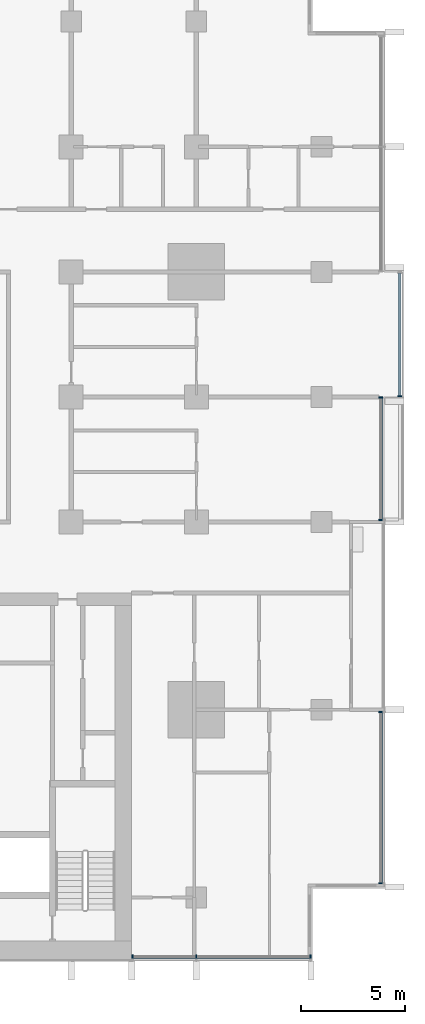
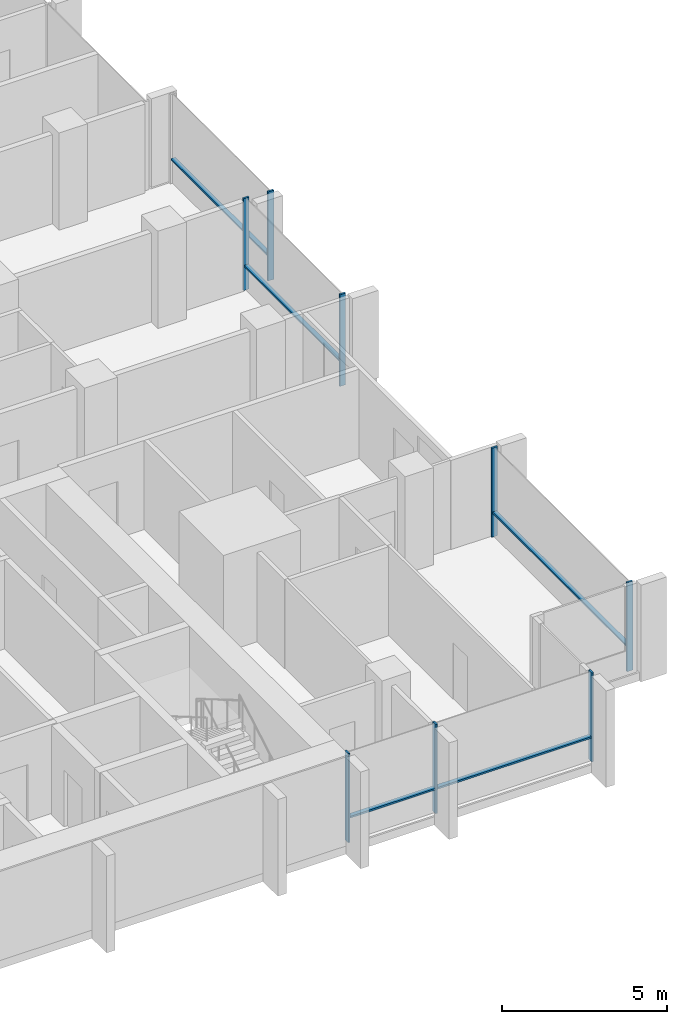
# One storey, part 3 of 17: 13 members, 4 elements without a shape of their own.
"""IFC4 building model written with IfcOpenShell, lengths in metres."""

from ifc_helpers import new_model, si_unit, direction, frame, origin, origin_2d, place, context, subcontext, project, spatial, rectangle, extrude, material, material_profile, profile_set, type_object, element, aggregate, save


model = new_model("IFC4")

# Units and contexts
model_context = context("Model", 3, precision=1e-05, world=origin(), true_north=direction((0.0, 1.0)))
body_context = subcontext(model_context, "Body", "Model", "MODEL_VIEW")
ifc_project = project(units=[si_unit("LENGTHUNIT", "METRE"), si_unit("AREAUNIT", "SQUARE_METRE"), si_unit("VOLUMEUNIT", "CUBIC_METRE"), si_unit("PLANEANGLEUNIT", "RADIAN"), si_unit("MASSUNIT", "GRAM", prefix="KILO")], contexts=[model_context])

# Site, building, storey
site_placement = place(None, origin())
site = spatial("IfcSite", under=ifc_project, at=site_placement, CompositionType="ELEMENT")
building_placement = place(site_placement, origin())
building = spatial("IfcBuilding", under=site, at=building_placement, Name="Finial Court Residences", CompositionType="ELEMENT")
storey_placement = place(building_placement, frame((0.0, 0.0, 117.10009765625)))
storey = spatial("IfcBuildingStorey", under=building, at=storey_placement, Name="L29", CompositionType="ELEMENT", Elevation=117.10009765625)

# Curtain wall, members
ifc_material = material(Name="Bronze anodised aluminium", Category="aluminium")
curtain_wall_type = type_object("IfcCurtainWallType", Name="Unitised curtain wall, lower and middle zones", PredefinedType="NOTDEFINED", material=ifc_material)
curtain_wall_1_placement = place(storey_placement, origin())
curtain_wall_1 = element("IfcCurtainWall", 1, at=curtain_wall_1_placement, inside=storey, type_object=curtain_wall_type, Name="E-L29-CW-E5", PredefinedType="NOTDEFINED")
ifc_material_profile_1 = material_profile(ifc_material, rectangle(XDim=0.199951171875, YDim=0.06494140625, at=origin_2d()), Name="CW1 mullion 65 x 200")
ifc_profile_set_1 = profile_set([ifc_material_profile_1], Name="Bronze anodised aluminium")
member_type_1 = type_object("IfcMemberType", Name="CW1 mullion 65 x 200", PredefinedType="MULLION", material=ifc_profile_set_1)
member_1_placement = place(storey_placement, frame((25.35009765625, -21.8173828125, 0.0), z_axis=(0.0, 0.0, 1.0), x_axis=(-1.0, 0.0, 0.0)))
member_1 = element("IfcMember", 2, at=member_1_placement, type_object=member_type_1, Name="CW1 mullion 1", PredefinedType="MULLION", context=body_context, shape_type="SweptSolid", body=[
    extrude(rectangle(XDim=0.199951171875, YDim=0.06494140625, at=origin_2d()), origin(), (0.0, 0.0, 1.0), 3.2998046875),
])
member_2_placement = place(storey_placement, frame((25.35009765625, -13.607421875, 0.0), z_axis=(0.0, 0.0, 1.0), x_axis=(-1.0, 0.0, 0.0)))
member_2 = element("IfcMember", 3, at=member_2_placement, type_object=member_type_1, Name="CW1 mullion 2", PredefinedType="MULLION", context=body_context, shape_type="SweptSolid", body=[
    extrude(rectangle(XDim=0.199951171875, YDim=0.06494140625, at=origin_2d()), origin(), (0.0, 0.0, 1.0), 3.2998046875),
])

curtain_wall_2_placement = place(storey_placement, origin())
curtain_wall_2 = element("IfcCurtainWall", 4, at=curtain_wall_2_placement, inside=storey, type_object=curtain_wall_type, Name="E-L29-CW-E6", PredefinedType="NOTDEFINED")
member_3_placement = place(storey_placement, frame((25.35009765625, -4.392578125, 0.0), z_axis=(0.0, 0.0, 1.0), x_axis=(-1.0, 0.0, 0.0)))
member_3 = element("IfcMember", 5, at=member_3_placement, type_object=member_type_1, Name="CW1 mullion 1", PredefinedType="MULLION", context=body_context, shape_type="SweptSolid", body=[
    extrude(rectangle(XDim=0.199951171875, YDim=0.06494140625, at=origin_2d()), origin(), (0.0, 0.0, 1.0), 3.39990234375),
])
member_4_placement = place(storey_placement, frame((25.35009765625, 1.467529296875, 0.0), z_axis=(0.0, 0.0, 1.0), x_axis=(-1.0, 0.0, 0.0)))
member_4 = element("IfcMember", 6, at=member_4_placement, type_object=member_type_1, Name="CW1 mullion 2", PredefinedType="MULLION", context=body_context, shape_type="SweptSolid", body=[
    extrude(rectangle(XDim=0.199951171875, YDim=0.06494140625, at=origin_2d()), origin(), (0.0, 0.0, 1.0), 3.39990234375),
])

# Curtain wall, member
curtain_wall_3_placement = place(storey_placement, origin())
curtain_wall_3 = element("IfcCurtainWall", 7, at=curtain_wall_3_placement, inside=storey, type_object=curtain_wall_type, Name="E-L29-CW-E7", PredefinedType="NOTDEFINED")
member_5_placement = place(storey_placement, frame((26.25, 1.532470703125, 0.0), z_axis=(0.0, 0.0, 1.0), x_axis=(-1.0, 0.0, 0.0)))
member_5 = element("IfcMember", 8, at=member_5_placement, type_object=member_type_1, Name="CW1 mullion 1", PredefinedType="MULLION", context=body_context, shape_type="SweptSolid", body=[
    extrude(rectangle(XDim=0.199951171875, YDim=0.06494140625, at=origin_2d()), origin(), (0.0, 0.0, 1.0), 3.2998046875),
])

# Curtain wall, members
curtain_wall_4_placement = place(storey_placement, origin())
curtain_wall_4 = element("IfcCurtainWall", 9, at=curtain_wall_4_placement, inside=storey, type_object=curtain_wall_type, Name="E-L29-CW-S10", PredefinedType="NOTDEFINED")
member_6_placement = place(storey_placement, frame((13.4326171875, -25.35009765625, 0.0), z_axis=(0.0, 0.0, 1.0), x_axis=(0.0, 1.0, 0.0)))
member_6 = element("IfcMember", 10, at=member_6_placement, type_object=member_type_1, Name="CW1 mullion 1", PredefinedType="MULLION", context=body_context, shape_type="SweptSolid", body=[
    extrude(rectangle(XDim=0.199951171875, YDim=0.06494140625, at=origin_2d()), origin(), (0.0, 0.0, 1.0), 3.2998046875),
])
member_7_placement = place(storey_placement, frame((16.5, -25.35009765625, 0.0), z_axis=(0.0, 0.0, 1.0), x_axis=(0.0, 1.0, 0.0)))
member_7 = element("IfcMember", 11, at=member_7_placement, type_object=member_type_1, Name="CW1 mullion 2", PredefinedType="MULLION", context=body_context, shape_type="SweptSolid", body=[
    extrude(rectangle(XDim=0.199951171875, YDim=0.06494140625, at=origin_2d()), origin(), (0.0, 0.0, 1.0), 3.2998046875),
])
member_8_placement = place(storey_placement, frame((21.967529296875, -25.35009765625, 0.0), z_axis=(0.0, 0.0, 1.0), x_axis=(0.0, 1.0, 0.0)))
member_8 = element("IfcMember", 12, at=member_8_placement, type_object=member_type_1, Name="CW1 mullion 3", PredefinedType="MULLION", context=body_context, shape_type="SweptSolid", body=[
    extrude(rectangle(XDim=0.199951171875, YDim=0.06494140625, at=origin_2d()), origin(), (0.0, 0.0, 1.0), 3.2998046875),
])

# Member
ifc_material_profile_2 = material_profile(ifc_material, rectangle(XDim=0.14990234375, YDim=0.06494140625, at=origin_2d()), Name="CW1 transom 65 x 150")
ifc_profile_set_2 = profile_set([ifc_material_profile_2], Name="Bronze anodised aluminium")
member_type_2 = type_object("IfcMemberType", Name="CW1 transom 65 x 150", PredefinedType="USERDEFINED", material=ifc_profile_set_2)
member_9_placement = place(storey_placement, frame((25.35009765625, -21.784912109375, 0.89990234375), z_axis=(0.0, 1.0, 0.0), x_axis=(-1.0, 0.0, 0.0)))
member_9 = element("IfcMember", 13, at=member_9_placement, type_object=member_type_2, Name="CW1 transom 1.1", ObjectType="TRANSOM", PredefinedType="USERDEFINED", context=body_context, shape_type="SweptSolid", body=[
    extrude(rectangle(XDim=0.14990234375, YDim=0.06494140625, at=origin_2d()), origin(), (0.0, 0.0, 1.0), 8.14501953125),
])

aggregate(curtain_wall_1, [member_1, member_2, member_9])

member_10_placement = place(storey_placement, frame((25.35009765625, -4.360107421875, 0.89990234375), z_axis=(0.0, 1.0, 0.0), x_axis=(-1.0, 0.0, 0.0)))
member_10 = element("IfcMember", 14, at=member_10_placement, type_object=member_type_2, Name="CW1 transom 1.1", ObjectType="TRANSOM", PredefinedType="USERDEFINED", context=body_context, shape_type="SweptSolid", body=[
    extrude(rectangle(XDim=0.14990234375, YDim=0.06494140625, at=origin_2d()), origin(), (0.0, 0.0, 1.0), 5.795166015625),
])

aggregate(curtain_wall_2, [member_3, member_4, member_10])

member_11_placement = place(storey_placement, frame((26.25, 1.56494140625, 0.89990234375), z_axis=(0.0, 1.0, 0.0), x_axis=(-1.0, 0.0, 0.0)))
member_11 = element("IfcMember", 15, at=member_11_placement, type_object=member_type_2, Name="CW1 transom 1.1", ObjectType="TRANSOM", PredefinedType="USERDEFINED", context=body_context, shape_type="SweptSolid", body=[
    extrude(rectangle(XDim=0.14990234375, YDim=0.06494140625, at=origin_2d()), origin(), (0.0, 0.0, 1.0), 5.8701171875),
])

aggregate(curtain_wall_3, [member_5, member_11])

member_12_placement = place(storey_placement, frame((13.465087890625, -25.35009765625, 0.89990234375), z_axis=(1.0, 0.0, 0.0), x_axis=(0.0, 1.0, 0.0)))
member_12 = element("IfcMember", 16, at=member_12_placement, type_object=member_type_2, Name="CW1 transom 1.1", ObjectType="TRANSOM", PredefinedType="USERDEFINED", context=body_context, shape_type="SweptSolid", body=[
    extrude(rectangle(XDim=0.14990234375, YDim=0.06494140625, at=origin_2d()), origin(), (0.0, 0.0, 1.0), 3.00244140625),
])

member_13_placement = place(storey_placement, frame((16.532470703125, -25.35009765625, 0.89990234375), z_axis=(1.0, 0.0, 0.0), x_axis=(0.0, 1.0, 0.0)))
member_13 = element("IfcMember", 17, at=member_13_placement, type_object=member_type_2, Name="CW1 transom 2.1", ObjectType="TRANSOM", PredefinedType="USERDEFINED", context=body_context, shape_type="SweptSolid", body=[
    extrude(rectangle(XDim=0.14990234375, YDim=0.06494140625, at=origin_2d()), origin(), (0.0, 0.0, 1.0), 5.402587890625),
])

aggregate(curtain_wall_4, [member_6, member_7, member_8, member_12, member_13])

save(model, "model.ifc")
